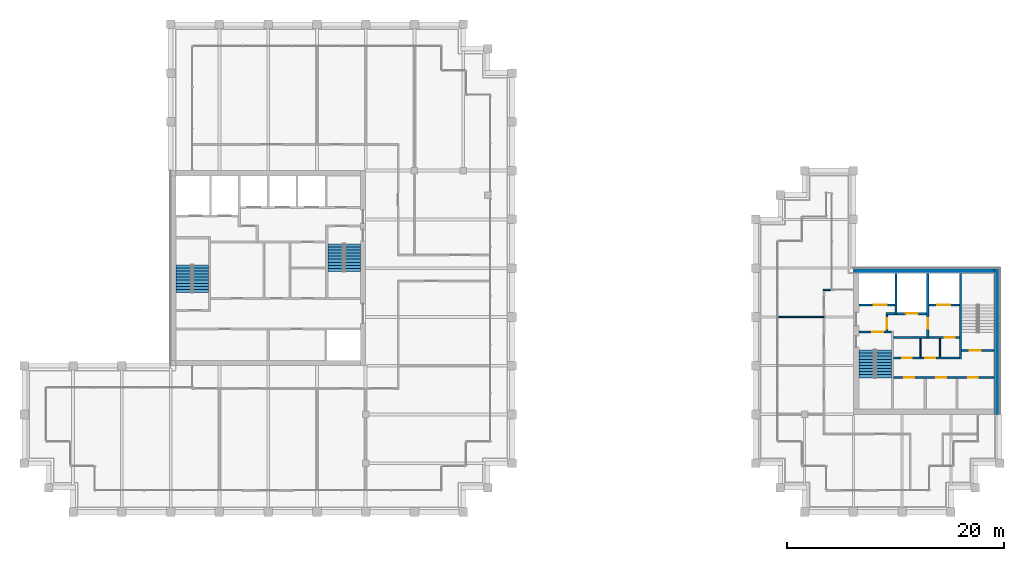
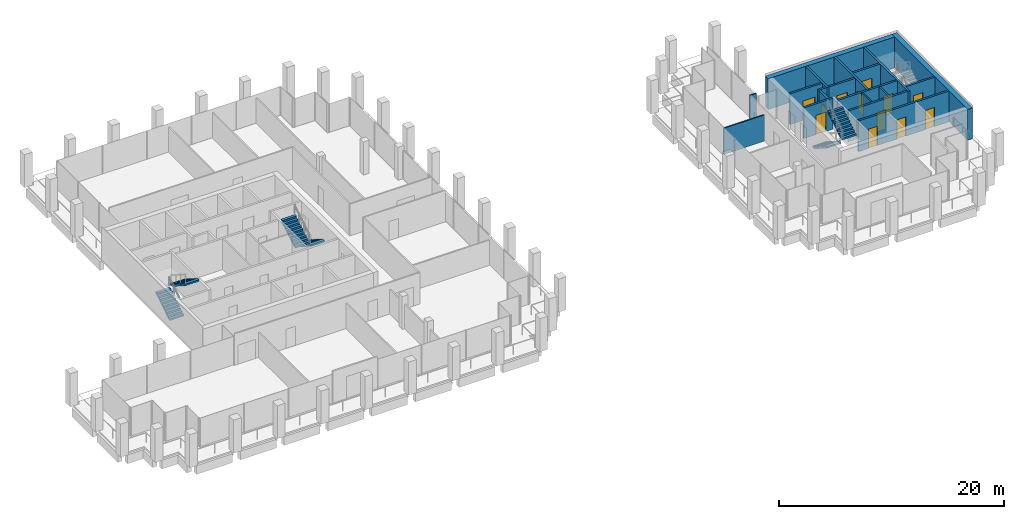
# One storey, part 38 of 40: 19 walls, 13 doors, 6 stair flights, 13 openings, 3 elements without a shape of their own.
"""IFC4 building model written with IfcOpenShell, lengths in metres."""

from ifc_helpers import new_model, si_unit, direction, frame, frame_2d, origin, place, context, subcontext, project, spatial, polyline, rectangle, outline, extrude, material, layer, layer_set, type_object, element, fill, aggregate, save


model = new_model("IFC4")

# Units and contexts
model_context = context("Model", 3, precision=1e-05, world=origin(), true_north=direction((0.0, 1.0)))
body_context = subcontext(model_context, "Body", "Model", "MODEL_VIEW")
ifc_project = project(units=[si_unit("LENGTHUNIT", "METRE"), si_unit("AREAUNIT", "SQUARE_METRE"), si_unit("VOLUMEUNIT", "CUBIC_METRE"), si_unit("PLANEANGLEUNIT", "RADIAN"), si_unit("MASSUNIT", "GRAM", prefix="KILO")], contexts=[model_context])

# Site, building, storey
site_placement = place(None, origin())
site = spatial("IfcSite", under=ifc_project, at=site_placement, CompositionType="ELEMENT")
building_placement = place(site_placement, origin())
building = spatial("IfcBuilding", under=site, at=building_placement, Name="Altepetl Exchange Towers", CompositionType="ELEMENT")
storey_placement = place(building_placement, frame((0.0, 0.0, 202.800048828125)))
storey = spatial("IfcBuildingStorey", under=building, at=storey_placement, Name="L51", CompositionType="ELEMENT", Elevation=202.800048828125)

# Walls
ifc_material_1 = material(Name="Concrete C70/85", Category="concrete")
ifc_layer_1 = layer(ifc_material_1, 0.5)
ifc_layer_set_1 = layer_set([ifc_layer_1], Name="Concrete C70/85")
wall_type_1 = type_object("IfcWallType", Name="Core wall 500 reinforced concrete external", PredefinedType="SHEAR", material=ifc_layer_set_1)
wall_1_placement = place(storey_placement, frame((116.75, 36.0, 0.0), z_axis=(0.0, 0.0, 1.0), x_axis=(0.0, 1.0, 0.0)))
element("IfcWall", 1, at=wall_1_placement, inside=storey, type_object=wall_type_1, Name="wall:B:L51:K-coreE", PredefinedType="SHEAR", context=body_context, shape_type="SweptSolid", body=[
    extrude(rectangle(XDim=13.5, YDim=0.5, at=frame_2d((6.75, 0.0))), origin(), (0.0, 0.0, 1.0), 3.349853515625),
])
wall_2_placement = place(storey_placement, frame((103.5, 49.25, 0.0)))
element("IfcWall", 2, at=wall_2_placement, inside=storey, type_object=wall_type_1, Name="wall:B:L51:K-coreN", PredefinedType="SHEAR", context=body_context, shape_type="SweptSolid", body=[
    extrude(rectangle(XDim=13.0, YDim=0.5, at=frame_2d((6.5, 0.0))), origin(), (0.0, 0.0, 1.0), 3.349853515625),
])
ifc_material_2 = material(Name="Concrete blockwork", Category="masonry")
ifc_layer_2 = layer(ifc_material_2, 0.199951171875)
ifc_layer_set_2 = layer_set([ifc_layer_2], Name="Concrete blockwork")
wall_type_2 = type_object("IfcWallType", Name="Lobby wall 200 blockwork", PredefinedType="PARTITIONING", material=ifc_layer_set_2)
wall_3_placement = place(storey_placement, frame((106.5, 45.300048828125, 0.0)))
element("IfcWall", 3, at=wall_3_placement, inside=storey, type_object=wall_type_2, Name="wall:B:L51:K-ffNw", PredefinedType="PARTITIONING", context=body_context, shape_type="SweptSolid", body=[
    extrude(rectangle(XDim=0.833251953125, YDim=0.199951171875, at=frame_2d((0.41650390625, 0.0))), origin(), (0.0, 0.0, 1.0), 3.349853515625),
])

# Wall, opening, door
wall_4_placement = place(storey_placement, frame((106.60009765625, 43.699951171875, 0.0), z_axis=(0.0, 0.0, 1.0), x_axis=(0.0, 1.0, 0.0)))
wall_4 = element("IfcWall", 4, at=wall_4_placement, inside=storey, type_object=wall_type_2, Name="wall:B:L51:K-ffW", PredefinedType="PARTITIONING", context=body_context, shape_type="SweptSolid", body=[
    extrude(rectangle(XDim=1.5, YDim=0.199951171875, at=frame_2d((0.75, 0.0))), origin(), (0.0, 0.0, 1.0), 3.349853515625),
])
opening_1_placement = place(wall_4_placement, frame((0.199951171875, 0.0, 0.0)))
opening_1 = element("IfcOpeningElement", 5, at=opening_1_placement, cuts=wall_4, Name="Opening L51.B65", PredefinedType="OPENING", context=body_context, shape_type="SweptSolid", body=[
    extrude(rectangle(XDim=1.0, YDim=2.10009765625, at=frame_2d((0.5, 1.050048828125))), frame((0.0, 0.10986328125, 0.0), z_axis=(0.0, -1.0, 0.0), x_axis=(1.0, 0.0, 0.0)), (0.0, 0.0, 1.0), 0.219970703125),
])
ifc_material_3 = material(Name="Steel and timber fire door", Category="steel")
door_type_1 = type_object("IfcDoorType", Name="Fire door 1000 x 2100 stair and lobby", OperationType="SINGLE_SWING_LEFT", PredefinedType="DOOR", material=ifc_material_3)
door_1_placement = place(opening_1_placement, frame((1.0, 0.0, 0.0), x_axis=(-1.0, 0.0, 0.0)))
door_1 = element("IfcDoor", 6, at=door_1_placement, inside=storey, type_object=door_type_1, Name="door:B:L51:K-dffW", OperationType="SINGLE_SWING_LEFT", OverallHeight=2.10009765625, OverallWidth=1.0, PredefinedType="DOOR", context=body_context, shape_type="SweptSolid", body=[
    extrude(rectangle(XDim=1.0, YDim=2.10009765625, at=frame_2d((0.5, 1.050048828125))), frame((0.0, 0.02490234375, 0.0), z_axis=(0.0, -1.0, 0.0), x_axis=(1.0, 0.0, 0.0)), (0.0, 0.0, 1.0), 0.050048828125),
])
fill(opening_1, door_1)

wall_5_placement = place(storey_placement, frame((107.199951171875, 43.10009765625, 0.0)))
wall_5 = element("IfcWall", 7, at=wall_5_placement, inside=storey, type_object=wall_type_2, Name="wall:B:L51:K-zoneN", PredefinedType="PARTITIONING", context=body_context, shape_type="SweptSolid", body=[
    extrude(rectangle(XDim=6.10009765625, YDim=0.199951171875, at=frame_2d((3.050048828125, 0.0))), origin(), (0.0, 0.0, 1.0), 3.349853515625),
])
opening_2_placement = place(wall_5_placement, frame((4.75, 0.0, 0.0)))
opening_2 = element("IfcOpeningElement", 8, at=opening_2_placement, cuts=wall_5, Name="Opening L51.B71", PredefinedType="OPENING", context=body_context, shape_type="SweptSolid", body=[
    extrude(rectangle(XDim=0.89990234375, YDim=2.10009765625, at=frame_2d((0.449951171875, 1.050048828125))), frame((0.0, 0.10986328125, 0.0), z_axis=(0.0, -1.0, 0.0), x_axis=(1.0, 0.0, 0.0)), (0.0, 0.0, 1.0), 0.219970703125),
])
door_type_2 = type_object("IfcDoorType", Name="Fire door 900 x 2100 service room", OperationType="SINGLE_SWING_LEFT", PredefinedType="DOOR", material=ifc_material_3)
door_2_placement = place(opening_2_placement, frame((0.89990234375, 0.0, 0.0), x_axis=(-1.0, 0.0, 0.0)))
door_2 = element("IfcDoor", 9, at=door_2_placement, inside=storey, type_object=door_type_2, Name="door:B:L51:K-dz3", OperationType="SINGLE_SWING_RIGHT", OverallHeight=2.10009765625, OverallWidth=0.89990234375, PredefinedType="DOOR", context=body_context, shape_type="SweptSolid", body=[
    extrude(rectangle(XDim=0.89990234375, YDim=2.10009765625, at=frame_2d((0.449951171875, 1.050048828125))), frame((0.0, 0.02490234375, 0.0), z_axis=(0.0, -1.0, 0.0), x_axis=(1.0, 0.0, 0.0)), (0.0, 0.0, 1.0), 0.050048828125),
])
fill(opening_2, door_2)

# Wall, openings, doors
wall_6_placement = place(storey_placement, frame((107.199951171875, 41.199951171875, 0.0)))
wall_6 = element("IfcWall", 10, at=wall_6_placement, inside=storey, type_object=wall_type_2, Name="wall:B:L51:K-zoneS", PredefinedType="PARTITIONING", context=body_context, shape_type="SweptSolid", body=[
    extrude(rectangle(XDim=6.10009765625, YDim=0.199951171875, at=frame_2d((3.050048828125, 0.0))), origin(), (0.0, 0.0, 1.0), 3.349853515625),
])
opening_3_placement = place(wall_6_placement, frame((0.800048828125, 0.0, 0.0)))
opening_3 = element("IfcOpeningElement", 11, at=opening_3_placement, cuts=wall_6, Name="Opening L51.B69", PredefinedType="OPENING", context=body_context, shape_type="SweptSolid", body=[
    extrude(rectangle(XDim=0.89990234375, YDim=2.10009765625, at=frame_2d((0.449951171875, 1.050048828125))), frame((0.0, 0.10986328125, 0.0), z_axis=(0.0, -1.0, 0.0), x_axis=(1.0, 0.0, 0.0)), (0.0, 0.0, 1.0), 0.219970703125),
])
opening_4_placement = place(wall_6_placement, frame((2.949951171875, 0.0, 0.0)))
opening_4 = element("IfcOpeningElement", 12, at=opening_4_placement, cuts=wall_6, Name="Opening L51.B70", PredefinedType="OPENING", context=body_context, shape_type="SweptSolid", body=[
    extrude(rectangle(XDim=0.89990234375, YDim=2.10009765625, at=frame_2d((0.449951171875, 1.050048828125))), frame((0.0, 0.10986328125, 0.0), z_axis=(0.0, -1.0, 0.0), x_axis=(1.0, 0.0, 0.0)), (0.0, 0.0, 1.0), 0.219970703125),
])
door_3_placement = place(opening_3_placement, origin())
door_3 = element("IfcDoor", 13, at=door_3_placement, inside=storey, type_object=door_type_2, Name="door:B:L51:K-dz1", OperationType="SINGLE_SWING_RIGHT", OverallHeight=2.10009765625, OverallWidth=0.89990234375, PredefinedType="DOOR", context=body_context, shape_type="SweptSolid", body=[
    extrude(rectangle(XDim=0.89990234375, YDim=2.10009765625, at=frame_2d((0.449951171875, 1.050048828125))), frame((0.0, 0.02490234375, 0.0), z_axis=(0.0, -1.0, 0.0), x_axis=(1.0, 0.0, 0.0)), (0.0, 0.0, 1.0), 0.050048828125),
])
fill(opening_3, door_3)
door_4_placement = place(opening_4_placement, origin())
door_4 = element("IfcDoor", 14, at=door_4_placement, inside=storey, type_object=door_type_2, Name="door:B:L51:K-dz2", OperationType="SINGLE_SWING_RIGHT", OverallHeight=2.10009765625, OverallWidth=0.89990234375, PredefinedType="DOOR", context=body_context, shape_type="SweptSolid", body=[
    extrude(rectangle(XDim=0.89990234375, YDim=2.10009765625, at=frame_2d((0.449951171875, 1.050048828125))), frame((0.0, 0.02490234375, 0.0), z_axis=(0.0, -1.0, 0.0), x_axis=(1.0, 0.0, 0.0)), (0.0, 0.0, 1.0), 0.050048828125),
])
fill(opening_4, door_4)

# Walls
ifc_material_4 = material(Name="Gypsum board on steel studs", Category="steel")
ifc_layer_3 = layer(ifc_material_4, 0.125)
ifc_layer_set_3 = layer_set([ifc_layer_3], Name="Gypsum board on steel studs")
wall_type_3 = type_object("IfcWallType", Name="Partition 125 gypsum board on steel studs", PredefinedType="PARTITIONING", material=ifc_layer_set_3)
for number, where, z_axis, x_axis, name in (
    (15, (109.699951171875, 41.300048828125, 0.0), (0.0, 0.0, 1.0), (0.0, 1.0, 0.0), "wall:B:L51:K-zp1"),
    (16, (111.5, 41.300048828125, 0.0), (0.0, 0.0, 1.0), (0.0, 1.0, 0.0), "wall:B:L51:K-zp2"),
):
    element("IfcWall", number, at=place(storey_placement, frame(where, z_axis=z_axis, x_axis=x_axis)), inside=storey, type_object=wall_type_3, Name=name, PredefinedType="PARTITIONING", context=body_context, shape_type="SweptSolid", body=[
        extrude(rectangle(XDim=1.699951171875, YDim=0.125, at=frame_2d((0.85009765625, 0.0))), origin(), (0.0, 0.0, 1.0), 3.349853515625),
    ])
wall_7_placement = place(storey_placement, frame((96.60009765625, 45.0, 0.0)))
element("IfcWall", 17, at=wall_7_placement, inside=storey, type_object=wall_type_3, Name="wall:B:L51:P06", PredefinedType="PARTITIONING", context=body_context, shape_type="SweptSolid", body=[
    extrude(rectangle(XDim=4.199951171875, YDim=0.125, at=frame_2d((2.10009765625, 0.0))), origin(), (0.0, 0.0, 1.0), 2.850830078125),
])
wall_8_placement = place(storey_placement, frame((100.737548828125, 47.5, 0.0)))
element("IfcWall", 18, at=wall_8_placement, inside=storey, type_object=wall_type_3, Name="wall:B:L51:P07", PredefinedType="PARTITIONING", context=body_context, shape_type="SweptSolid", body=[
    extrude(rectangle(XDim=0.662353515625, YDim=0.125, at=frame_2d((0.3310546875, 0.0))), origin(), (0.0, 0.0, 1.0), 3.449951171875),
])
ifc_material_5 = material(Name="Concrete C40/50", Category="concrete")
ifc_layer_4 = layer(ifc_material_5, 0.199951171875)
ifc_layer_set_4 = layer_set([ifc_layer_4], Name="Concrete C40/50")
wall_type_4 = type_object("IfcWallType", Name="Shaft wall 200 reinforced concrete", PredefinedType="SHEAR", material=ifc_layer_set_4)
wall_9_placement = place(storey_placement, frame((107.433349609375, 49.0, 0.0), z_axis=(0.0, 0.0, 1.0), x_axis=(0.0, -1.0, 0.0)))
element("IfcWall", 19, at=wall_9_placement, inside=storey, type_object=wall_type_4, Name="wall:B:L51:K-divN1", PredefinedType="SHEAR", context=body_context, shape_type="SweptSolid", body=[
    extrude(rectangle(XDim=3.800048828125, YDim=0.199951171875, at=frame_2d((1.89990234375, 0.0))), origin(), (0.0, 0.0, 1.0), 3.349853515625),
])

# Wall, opening, door
wall_10_placement = place(storey_placement, frame((110.36669921875, 49.0, 0.0), z_axis=(0.0, 0.0, 1.0), x_axis=(0.0, -1.0, 0.0)))
wall_10 = element("IfcWall", 20, at=wall_10_placement, inside=storey, type_object=wall_type_4, Name="wall:B:L51:K-divN2", PredefinedType="SHEAR", context=body_context, shape_type="SweptSolid", body=[
    extrude(rectangle(XDim=5.89990234375, YDim=0.199951171875, at=frame_2d((2.949951171875, 0.0))), origin(), (0.0, 0.0, 1.0), 3.349853515625),
])
opening_5_placement = place(wall_10_placement, frame((4.10009765625, 0.0, 0.0)))
opening_5 = element("IfcOpeningElement", 21, at=opening_5_placement, cuts=wall_10, Name="Opening L51.B64", PredefinedType="OPENING", context=body_context, shape_type="SweptSolid", body=[
    extrude(rectangle(XDim=1.0, YDim=2.10009765625, at=frame_2d((0.5, 1.050048828125))), frame((0.0, 0.10986328125, 0.0), z_axis=(0.0, -1.0, 0.0), x_axis=(1.0, 0.0, 0.0)), (0.0, 0.0, 1.0), 0.219970703125),
])
door_5_placement = place(opening_5_placement, frame((1.0, 0.0, 0.0), x_axis=(-1.0, 0.0, 0.0)))
door_5 = element("IfcDoor", 22, at=door_5_placement, inside=storey, type_object=door_type_1, Name="door:B:L51:K-dffE", OperationType="SINGLE_SWING_RIGHT", OverallHeight=2.10009765625, OverallWidth=1.0, PredefinedType="DOOR", context=body_context, shape_type="SweptSolid", body=[
    extrude(rectangle(XDim=1.0, YDim=2.10009765625, at=frame_2d((0.5, 1.050048828125))), frame((0.0, 0.02490234375, 0.0), z_axis=(0.0, -1.0, 0.0), x_axis=(1.0, 0.0, 0.0)), (0.0, 0.0, 1.0), 0.050048828125),
])
fill(opening_5, door_5)

wall_11_placement = place(storey_placement, frame((104.0, 46.10009765625, 0.0)))
wall_11 = element("IfcWall", 23, at=wall_11_placement, inside=storey, type_object=wall_type_4, Name="wall:B:L51:K-frontNa", PredefinedType="SHEAR", context=body_context, shape_type="SweptSolid", body=[
    extrude(rectangle(XDim=3.333251953125, YDim=0.199951171875, at=frame_2d((1.66650390625, 0.0))), origin(), (0.0, 0.0, 1.0), 3.349853515625),
])
opening_6_placement = place(wall_11_placement, frame((1.36669921875, 0.0, 0.0)))
opening_6 = element("IfcOpeningElement", 24, at=opening_6_placement, cuts=wall_11, Name="Opening L51.B73", PredefinedType="OPENING", context=body_context, shape_type="SweptSolid", body=[
    extrude(rectangle(XDim=1.199951171875, YDim=2.10009765625, at=frame_2d((0.60009765625, 1.050048828125))), frame((0.0, 0.10986328125, 0.0), z_axis=(0.0, -1.0, 0.0), x_axis=(1.0, 0.0, 0.0)), (0.0, 0.0, 1.0), 0.219970703125),
])
ifc_material_6 = material(Name="Stainless steel", Category="steel")
door_type_3 = type_object("IfcDoorType", Name="Lift landing door 1200 x 2100", OperationType="SLIDING_TO_LEFT", PredefinedType="DOOR", material=ifc_material_6)
door_6_placement = place(opening_6_placement, origin())
door_6 = element("IfcDoor", 25, at=door_6_placement, inside=storey, type_object=door_type_3, Name="Landing door P4", OperationType="SLIDING_TO_LEFT", OverallHeight=2.10009765625, OverallWidth=1.199951171875, PredefinedType="DOOR", context=body_context, shape_type="SweptSolid", body=[
    extrude(rectangle(XDim=1.199951171875, YDim=2.10009765625, at=frame_2d((0.60009765625, 1.050048828125))), frame((0.0, 0.02490234375, 0.0), z_axis=(0.0, -1.0, 0.0), x_axis=(1.0, 0.0, 0.0)), (0.0, 0.0, 1.0), 0.050048828125),
])
fill(opening_6, door_6)

wall_12_placement = place(storey_placement, frame((110.466796875, 46.10009765625, 0.0)))
wall_12 = element("IfcWall", 26, at=wall_12_placement, inside=storey, type_object=wall_type_4, Name="wall:B:L51:K-frontNb", PredefinedType="SHEAR", context=body_context, shape_type="SweptSolid", body=[
    extrude(rectangle(XDim=2.833251953125, YDim=0.199951171875, at=frame_2d((1.41650390625, 0.0))), origin(), (0.0, 0.0, 1.0), 3.349853515625),
])
opening_7_placement = place(wall_12_placement, frame((0.7666015625, 0.0, 0.0)))
opening_7 = element("IfcOpeningElement", 27, at=opening_7_placement, cuts=wall_12, Name="Opening L51.B74", PredefinedType="OPENING", context=body_context, shape_type="SweptSolid", body=[
    extrude(rectangle(XDim=1.199951171875, YDim=2.10009765625, at=frame_2d((0.60009765625, 1.050048828125))), frame((0.0, 0.10986328125, 0.0), z_axis=(0.0, -1.0, 0.0), x_axis=(1.0, 0.0, 0.0)), (0.0, 0.0, 1.0), 0.219970703125),
])
door_7_placement = place(opening_7_placement, origin())
door_7 = element("IfcDoor", 28, at=door_7_placement, inside=storey, type_object=door_type_3, Name="Landing door P5", OperationType="SLIDING_TO_LEFT", OverallHeight=2.10009765625, OverallWidth=1.199951171875, PredefinedType="DOOR", context=body_context, shape_type="SweptSolid", body=[
    extrude(rectangle(XDim=1.199951171875, YDim=2.10009765625, at=frame_2d((0.60009765625, 1.050048828125))), frame((0.0, 0.02490234375, 0.0), z_axis=(0.0, -1.0, 0.0), x_axis=(1.0, 0.0, 0.0)), (0.0, 0.0, 1.0), 0.050048828125),
])
fill(opening_7, door_7)

wall_13_placement = place(storey_placement, frame((107.533203125, 45.300048828125, 0.0)))
wall_13 = element("IfcWall", 29, at=wall_13_placement, inside=storey, type_object=wall_type_4, Name="wall:B:L51:K-frontNd", PredefinedType="SHEAR", context=body_context, shape_type="SweptSolid", body=[
    extrude(rectangle(XDim=2.7333984375, YDim=0.199951171875, at=frame_2d((1.36669921875, 0.0))), origin(), (0.0, 0.0, 1.0), 3.349853515625),
])
opening_8_placement = place(wall_13_placement, frame((0.816650390625, 0.0, 0.0)))
opening_8 = element("IfcOpeningElement", 30, at=opening_8_placement, cuts=wall_13, Name="Opening L51.B72", PredefinedType="OPENING", context=body_context, shape_type="SweptSolid", body=[
    extrude(rectangle(XDim=1.10009765625, YDim=2.10009765625, at=frame_2d((0.550048828125, 1.050048828125))), frame((0.0, 0.10986328125, 0.0), z_axis=(0.0, -1.0, 0.0), x_axis=(1.0, 0.0, 0.0)), (0.0, 0.0, 1.0), 0.219970703125),
])
door_type_4 = type_object("IfcDoorType", Name="Lift landing door 1100 x 2100", OperationType="SLIDING_TO_LEFT", PredefinedType="DOOR", material=ifc_material_6)
door_8_placement = place(opening_8_placement, origin())
door_8 = element("IfcDoor", 31, at=door_8_placement, inside=storey, type_object=door_type_4, Name="Landing door FFL1", OperationType="SLIDING_TO_LEFT", OverallHeight=2.10009765625, OverallWidth=1.10009765625, PredefinedType="DOOR", context=body_context, shape_type="SweptSolid", body=[
    extrude(rectangle(XDim=1.10009765625, YDim=2.10009765625, at=frame_2d((0.550048828125, 1.050048828125))), frame((0.0, 0.02490234375, 0.0), z_axis=(0.0, -1.0, 0.0), x_axis=(1.0, 0.0, 0.0)), (0.0, 0.0, 1.0), 0.050048828125),
])
fill(opening_8, door_8)

# Wall, openings, doors
wall_14_placement = place(storey_placement, frame((107.199951171875, 39.39990234375, 0.0)))
wall_14 = element("IfcWall", 32, at=wall_14_placement, inside=storey, type_object=wall_type_4, Name="wall:B:L51:K-frontS", PredefinedType="SHEAR", context=body_context, shape_type="SweptSolid", body=[
    extrude(rectangle(XDim=9.300048828125, YDim=0.199951171875, at=frame_2d((4.64990234375, 0.0))), origin(), (0.0, 0.0, 1.0), 3.349853515625),
])
opening_9_placement = place(wall_14_placement, frame((1.0166015625, 0.0, 0.0)))
opening_9 = element("IfcOpeningElement", 33, at=opening_9_placement, cuts=wall_14, Name="Opening L51.B66", PredefinedType="OPENING", context=body_context, shape_type="SweptSolid", body=[
    extrude(rectangle(XDim=0.89990234375, YDim=2.10009765625, at=frame_2d((0.449951171875, 1.050048828125))), frame((0.0, 0.10986328125, 0.0), z_axis=(0.0, -1.0, 0.0), x_axis=(1.0, 0.0, 0.0)), (0.0, 0.0, 1.0), 0.219970703125),
])
opening_10_placement = place(wall_14_placement, frame((3.949951171875, 0.0, 0.0)))
opening_10 = element("IfcOpeningElement", 34, at=opening_10_placement, cuts=wall_14, Name="Opening L51.B67", PredefinedType="OPENING", context=body_context, shape_type="SweptSolid", body=[
    extrude(rectangle(XDim=0.89990234375, YDim=2.10009765625, at=frame_2d((0.449951171875, 1.050048828125))), frame((0.0, 0.10986328125, 0.0), z_axis=(0.0, -1.0, 0.0), x_axis=(1.0, 0.0, 0.0)), (0.0, 0.0, 1.0), 0.219970703125),
])
opening_11_placement = place(wall_14_placement, frame((6.88330078125, 0.0, 0.0)))
opening_11 = element("IfcOpeningElement", 35, at=opening_11_placement, cuts=wall_14, Name="Opening L51.B68", PredefinedType="OPENING", context=body_context, shape_type="SweptSolid", body=[
    extrude(rectangle(XDim=0.89990234375, YDim=2.10009765625, at=frame_2d((0.449951171875, 1.050048828125))), frame((0.0, 0.10986328125, 0.0), z_axis=(0.0, -1.0, 0.0), x_axis=(1.0, 0.0, 0.0)), (0.0, 0.0, 1.0), 0.219970703125),
])
door_9_placement = place(opening_9_placement, frame((0.89990234375, 0.0, 0.0), x_axis=(-1.0, 0.0, 0.0)))
door_9 = element("IfcDoor", 36, at=door_9_placement, inside=storey, type_object=door_type_2, Name="door:B:L51:K-dslotS0", OperationType="SINGLE_SWING_LEFT", OverallHeight=2.10009765625, OverallWidth=0.89990234375, PredefinedType="DOOR", context=body_context, shape_type="SweptSolid", body=[
    extrude(rectangle(XDim=0.89990234375, YDim=2.10009765625, at=frame_2d((0.449951171875, 1.050048828125))), frame((0.0, 0.02490234375, 0.0), z_axis=(0.0, -1.0, 0.0), x_axis=(1.0, 0.0, 0.0)), (0.0, 0.0, 1.0), 0.050048828125),
])
fill(opening_9, door_9)
door_10_placement = place(opening_10_placement, frame((0.89990234375, 0.0, 0.0), x_axis=(-1.0, 0.0, 0.0)))
door_10 = element("IfcDoor", 37, at=door_10_placement, inside=storey, type_object=door_type_2, Name="door:B:L51:K-dslotS1", OperationType="SINGLE_SWING_LEFT", OverallHeight=2.10009765625, OverallWidth=0.89990234375, PredefinedType="DOOR", context=body_context, shape_type="SweptSolid", body=[
    extrude(rectangle(XDim=0.89990234375, YDim=2.10009765625, at=frame_2d((0.449951171875, 1.050048828125))), frame((0.0, 0.02490234375, 0.0), z_axis=(0.0, -1.0, 0.0), x_axis=(1.0, 0.0, 0.0)), (0.0, 0.0, 1.0), 0.050048828125),
])
fill(opening_10, door_10)
door_11_placement = place(opening_11_placement, frame((0.89990234375, 0.0, 0.0), x_axis=(-1.0, 0.0, 0.0)))
door_11 = element("IfcDoor", 38, at=door_11_placement, inside=storey, type_object=door_type_2, Name="door:B:L51:K-dslotS2", OperationType="SINGLE_SWING_LEFT", OverallHeight=2.10009765625, OverallWidth=0.89990234375, PredefinedType="DOOR", context=body_context, shape_type="SweptSolid", body=[
    extrude(rectangle(XDim=0.89990234375, YDim=2.10009765625, at=frame_2d((0.449951171875, 1.050048828125))), frame((0.0, 0.02490234375, 0.0), z_axis=(0.0, -1.0, 0.0), x_axis=(1.0, 0.0, 0.0)), (0.0, 0.0, 1.0), 0.050048828125),
])
fill(opening_11, door_11)

# Wall, opening, door
ifc_layer_5 = layer(ifc_material_5, 0.199951171875)
ifc_layer_set_5 = layer_set([ifc_layer_5], Name="Concrete C40/50")
wall_type_5 = type_object("IfcWallType", Name="Stair wall 200 reinforced concrete", PredefinedType="SHEAR", material=ifc_layer_set_5)
wall_15_placement = place(storey_placement, frame((104.0, 43.60009765625, 0.0)))
wall_15 = element("IfcWall", 39, at=wall_15_placement, inside=storey, type_object=wall_type_5, Name="wall:B:L51:K-stS1N", PredefinedType="SHEAR", context=body_context, shape_type="SweptSolid", body=[
    extrude(rectangle(XDim=3.0, YDim=0.199951171875, at=frame_2d((1.5, 0.0))), origin(), (0.0, 0.0, 1.0), 3.349853515625),
])
opening_12_placement = place(wall_15_placement, frame((1.25, 0.0, 0.0)))
opening_12 = element("IfcOpeningElement", 40, at=opening_12_placement, cuts=wall_15, Name="Opening L51.B61", PredefinedType="OPENING", context=body_context, shape_type="SweptSolid", body=[
    extrude(rectangle(XDim=1.0, YDim=2.10009765625, at=frame_2d((0.5, 1.050048828125))), frame((0.0, 0.10986328125, 0.0), z_axis=(0.0, -1.0, 0.0), x_axis=(1.0, 0.0, 0.0)), (0.0, 0.0, 1.0), 0.219970703125),
])
door_12_placement = place(opening_12_placement, frame((1.0, 0.0, 0.0), x_axis=(-1.0, 0.0, 0.0)))
door_12 = element("IfcDoor", 41, at=door_12_placement, inside=storey, type_object=door_type_1, Name="door:B:L51:K-dS1in", OperationType="SINGLE_SWING_LEFT", OverallHeight=2.10009765625, OverallWidth=1.0, PredefinedType="DOOR", context=body_context, shape_type="SweptSolid", body=[
    extrude(rectangle(XDim=1.0, YDim=2.10009765625, at=frame_2d((0.5, 1.050048828125))), frame((0.0, 0.02490234375, 0.0), z_axis=(0.0, -1.0, 0.0), x_axis=(1.0, 0.0, 0.0)), (0.0, 0.0, 1.0), 0.050048828125),
])
fill(opening_12, door_12)

wall_16_placement = place(storey_placement, frame((113.5, 41.89990234375, 0.0)))
wall_16 = element("IfcWall", 42, at=wall_16_placement, inside=storey, type_object=wall_type_5, Name="wall:B:L51:K-stS2S", PredefinedType="SHEAR", context=body_context, shape_type="SweptSolid", body=[
    extrude(rectangle(XDim=3.0, YDim=0.199951171875, at=frame_2d((1.5, 0.0))), origin(), (0.0, 0.0, 1.0), 3.349853515625),
])
opening_13_placement = place(wall_16_placement, frame((0.75, 0.0, 0.0)))
opening_13 = element("IfcOpeningElement", 43, at=opening_13_placement, cuts=wall_16, Name="Opening L51.B63", PredefinedType="OPENING", context=body_context, shape_type="SweptSolid", body=[
    extrude(rectangle(XDim=1.0, YDim=2.10009765625, at=frame_2d((0.5, 1.050048828125))), frame((0.0, 0.10986328125, 0.0), z_axis=(0.0, -1.0, 0.0), x_axis=(1.0, 0.0, 0.0)), (0.0, 0.0, 1.0), 0.219970703125),
])
door_13_placement = place(opening_13_placement, origin())
door_13 = element("IfcDoor", 44, at=door_13_placement, inside=storey, type_object=door_type_1, Name="door:B:L51:K-dS2in", OperationType="SINGLE_SWING_RIGHT", OverallHeight=2.10009765625, OverallWidth=1.0, PredefinedType="DOOR", context=body_context, shape_type="SweptSolid", body=[
    extrude(rectangle(XDim=1.0, YDim=2.10009765625, at=frame_2d((0.5, 1.050048828125))), frame((0.0, 0.02490234375, 0.0), z_axis=(0.0, -1.0, 0.0), x_axis=(1.0, 0.0, 0.0)), (0.0, 0.0, 1.0), 0.050048828125),
])
fill(opening_13, door_13)

# Wall
wall_17_placement = place(storey_placement, frame((113.39990234375, 41.10009765625, 0.0), z_axis=(0.0, 0.0, 1.0), x_axis=(0.0, 1.0, 0.0)))
element("IfcWall", 45, at=wall_17_placement, inside=storey, type_object=wall_type_5, Name="wall:B:L51:K-stS2W", PredefinedType="SHEAR", context=body_context, shape_type="SweptSolid", body=[
    extrude(rectangle(XDim=7.89990234375, YDim=0.199951171875, at=frame_2d((3.949951171875, 0.0))), origin(), (0.0, 0.0, 1.0), 3.349853515625),
])

# Stair, stair flights
stair_type = type_object("IfcStairType", Name="Exit stair 1450 flights dogleg", PredefinedType="HALF_TURN_STAIR", material=ifc_material_5)
stair_1_placement = place(storey_placement, origin())
stair_1 = element("IfcStair", 46, at=stair_1_placement, inside=storey, type_object=stair_type, Name="Exit stair 1", PredefinedType="HALF_TURN_STAIR")
stair_flight_type = type_object("IfcStairFlightType", Name="Stair flight 1450 wide", PredefinedType="STRAIGHT", material=ifc_material_5)
stair_flight_1_placement = place(storey_placement, frame((41.72509765625, 47.25, 0.0), z_axis=(0.0, 0.0, 1.0), x_axis=(0.0, 1.0, 0.0)))
stair_flight_1 = element("IfcStairFlight", 47, at=stair_flight_1_placement, type_object=stair_flight_type, Name="ST-A1f flight 1", NumberOfRisers=10, NumberOfTreads=9, PredefinedType="STRAIGHT", RiserHeight=0.18, TreadLength=0.285, context=body_context, shape_type="SweptSolid", body=[
    extrude(outline(polyline([(0.0, 0.0), (0.0, 0.179931640625), (0.284912109375, 0.179931640625), (0.284912109375, 0.360107421875), (0.570068359375, 0.360107421875), (0.570068359375, 0.5400390625), (0.85498046875, 0.5400390625), (0.85498046875, 0.719970703125), (1.139892578125, 0.719970703125), (1.139892578125, 0.89990234375), (1.425048828125, 0.89990234375), (1.425048828125, 1.080078125), (1.7099609375, 1.080078125), (1.7099609375, 1.260009765625), (1.9951171875, 1.260009765625), (1.9951171875, 1.43994140625), (2.280029296875, 1.43994140625), (2.280029296875, 1.6201171875), (2.56494140625, 1.6201171875), (2.56494140625, 1.800048828125), (2.56494140625, 1.442626953125), (0.28076171875, 0.0), (0.0, 0.0)])), frame((0.0, 0.72509765625, 0.0), z_axis=(0.0, -1.0, 0.0), x_axis=(1.0, 0.0, 0.0)), (0.0, 0.0, 1.0), 1.449951171875),
])
stair_flight_2_placement = place(storey_placement, frame((43.27490234375, 49.81494140625, 1.800048828125), z_axis=(0.0, 0.0, 1.0), x_axis=(0.0, -1.0, 0.0)))
stair_flight_2 = element("IfcStairFlight", 48, at=stair_flight_2_placement, type_object=stair_flight_type, Name="ST-A1f flight 2", NumberOfRisers=10, NumberOfTreads=9, PredefinedType="STRAIGHT", RiserHeight=0.18, TreadLength=0.285, context=body_context, shape_type="SweptSolid", body=[
    extrude(outline(polyline([(0.0, 0.0), (0.0, 0.179931640625), (0.284912109375, 0.179931640625), (0.284912109375, 0.360107421875), (0.570068359375, 0.360107421875), (0.570068359375, 0.5400390625), (0.85498046875, 0.5400390625), (0.85498046875, 0.719970703125), (1.139892578125, 0.719970703125), (1.139892578125, 0.89990234375), (1.425048828125, 0.89990234375), (1.425048828125, 1.080078125), (1.7099609375, 1.080078125), (1.7099609375, 1.260009765625), (1.9951171875, 1.260009765625), (1.9951171875, 1.43994140625), (2.280029296875, 1.43994140625), (2.280029296875, 1.6201171875), (2.56494140625, 1.6201171875), (2.56494140625, 1.800048828125), (2.56494140625, 1.442626953125), (0.28076171875, 0.0), (0.0, 0.0)])), frame((0.0, 0.72509765625, 0.0), z_axis=(0.0, -1.0, 0.0), x_axis=(1.0, 0.0, 0.0)), (0.0, 0.0, 1.0), 1.449951171875),
])
aggregate(stair_1, [stair_flight_1, stair_flight_2])

stair_2_placement = place(storey_placement, origin())
stair_2 = element("IfcStair", 49, at=stair_2_placement, inside=storey, type_object=stair_type, Name="Exit stair 2", PredefinedType="HALF_TURN_STAIR")
stair_flight_3_placement = place(storey_placement, frame((57.27490234375, 51.75, 0.0), z_axis=(0.0, 0.0, 1.0), x_axis=(0.0, -1.0, 0.0)))
stair_flight_3 = element("IfcStairFlight", 50, at=stair_flight_3_placement, type_object=stair_flight_type, Name="ST-A2f flight 1", NumberOfRisers=10, NumberOfTreads=9, PredefinedType="STRAIGHT", RiserHeight=0.18, TreadLength=0.285, context=body_context, shape_type="SweptSolid", body=[
    extrude(outline(polyline([(0.0, 0.0), (0.0, 0.179931640625), (0.284912109375, 0.179931640625), (0.284912109375, 0.360107421875), (0.570068359375, 0.360107421875), (0.570068359375, 0.5400390625), (0.85498046875, 0.5400390625), (0.85498046875, 0.719970703125), (1.139892578125, 0.719970703125), (1.139892578125, 0.89990234375), (1.425048828125, 0.89990234375), (1.425048828125, 1.080078125), (1.7099609375, 1.080078125), (1.7099609375, 1.260009765625), (1.9951171875, 1.260009765625), (1.9951171875, 1.43994140625), (2.280029296875, 1.43994140625), (2.280029296875, 1.6201171875), (2.56494140625, 1.6201171875), (2.56494140625, 1.800048828125), (2.56494140625, 1.442626953125), (0.28076171875, 0.0), (0.0, 0.0)])), frame((0.0, 0.72509765625, 0.0), z_axis=(0.0, -1.0, 0.0), x_axis=(1.0, 0.0, 0.0)), (0.0, 0.0, 1.0), 1.449951171875),
])
stair_flight_4_placement = place(storey_placement, frame((55.72509765625, 49.18505859375, 1.800048828125), z_axis=(0.0, 0.0, 1.0), x_axis=(0.0, 1.0, 0.0)))
stair_flight_4 = element("IfcStairFlight", 51, at=stair_flight_4_placement, type_object=stair_flight_type, Name="ST-A2f flight 2", NumberOfRisers=10, NumberOfTreads=9, PredefinedType="STRAIGHT", RiserHeight=0.18, TreadLength=0.285, context=body_context, shape_type="SweptSolid", body=[
    extrude(outline(polyline([(0.0, 0.0), (0.0, 0.179931640625), (0.284912109375, 0.179931640625), (0.284912109375, 0.360107421875), (0.570068359375, 0.360107421875), (0.570068359375, 0.5400390625), (0.85498046875, 0.5400390625), (0.85498046875, 0.719970703125), (1.139892578125, 0.719970703125), (1.139892578125, 0.89990234375), (1.425048828125, 0.89990234375), (1.425048828125, 1.080078125), (1.7099609375, 1.080078125), (1.7099609375, 1.260009765625), (1.9951171875, 1.260009765625), (1.9951171875, 1.43994140625), (2.280029296875, 1.43994140625), (2.280029296875, 1.6201171875), (2.56494140625, 1.6201171875), (2.56494140625, 1.800048828125), (2.56494140625, 1.442626953125), (0.28076171875, 0.0), (0.0, 0.0)])), frame((0.0, 0.72509765625, 0.0), z_axis=(0.0, -1.0, 0.0), x_axis=(1.0, 0.0, 0.0)), (0.0, 0.0, 1.0), 1.449951171875),
])
aggregate(stair_2, [stair_flight_3, stair_flight_4])

stair_3_placement = place(storey_placement, origin())
stair_3 = element("IfcStair", 52, at=stair_3_placement, inside=storey, type_object=stair_type, Name="Exit stair 1", PredefinedType="HALF_TURN_STAIR")
stair_flight_5_placement = place(storey_placement, frame((104.72509765625, 41.949951171875, 0.0), z_axis=(0.0, 0.0, 1.0), x_axis=(0.0, -1.0, 0.0)))
stair_flight_5 = element("IfcStairFlight", 53, at=stair_flight_5_placement, type_object=stair_flight_type, Name="ST-B1f flight 1", NumberOfRisers=10, NumberOfTreads=9, PredefinedType="STRAIGHT", RiserHeight=0.18, TreadLength=0.285, context=body_context, shape_type="SweptSolid", body=[
    extrude(outline(polyline([(0.0, 0.0), (0.0, 0.179931640625), (0.284912109375, 0.179931640625), (0.284912109375, 0.360107421875), (0.570068359375, 0.360107421875), (0.570068359375, 0.5400390625), (0.85498046875, 0.5400390625), (0.85498046875, 0.719970703125), (1.139892578125, 0.719970703125), (1.139892578125, 0.89990234375), (1.425048828125, 0.89990234375), (1.425048828125, 1.080078125), (1.7099609375, 1.080078125), (1.7099609375, 1.260009765625), (1.9951171875, 1.260009765625), (1.9951171875, 1.43994140625), (2.280029296875, 1.43994140625), (2.280029296875, 1.6201171875), (2.56494140625, 1.6201171875), (2.56494140625, 1.800048828125), (2.56494140625, 1.442626953125), (0.28076171875, 0.0), (0.0, 0.0)])), frame((0.0, 0.72509765625, 0.0), z_axis=(0.0, -1.0, 0.0), x_axis=(1.0, 0.0, 0.0)), (0.0, 0.0, 1.0), 1.449951171875),
])
stair_flight_6_placement = place(storey_placement, frame((106.27490234375, 39.385009765625, 1.800048828125), z_axis=(0.0, 0.0, 1.0), x_axis=(0.0, 1.0, 0.0)))
stair_flight_6 = element("IfcStairFlight", 54, at=stair_flight_6_placement, type_object=stair_flight_type, Name="ST-B1f flight 2", NumberOfRisers=10, NumberOfTreads=9, PredefinedType="STRAIGHT", RiserHeight=0.18, TreadLength=0.285, context=body_context, shape_type="SweptSolid", body=[
    extrude(outline(polyline([(0.0, 0.0), (0.0, 0.179931640625), (0.284912109375, 0.179931640625), (0.284912109375, 0.360107421875), (0.570068359375, 0.360107421875), (0.570068359375, 0.5400390625), (0.85498046875, 0.5400390625), (0.85498046875, 0.719970703125), (1.139892578125, 0.719970703125), (1.139892578125, 0.89990234375), (1.425048828125, 0.89990234375), (1.425048828125, 1.080078125), (1.7099609375, 1.080078125), (1.7099609375, 1.260009765625), (1.9951171875, 1.260009765625), (1.9951171875, 1.43994140625), (2.280029296875, 1.43994140625), (2.280029296875, 1.6201171875), (2.56494140625, 1.6201171875), (2.56494140625, 1.800048828125), (2.56494140625, 1.442626953125), (0.28076171875, 0.0), (0.0, 0.0)])), frame((0.0, 0.72509765625, 0.0), z_axis=(0.0, -1.0, 0.0), x_axis=(1.0, 0.0, 0.0)), (0.0, 0.0, 1.0), 1.449951171875),
])
aggregate(stair_3, [stair_flight_5, stair_flight_6])

save(model, "model.ifc")
